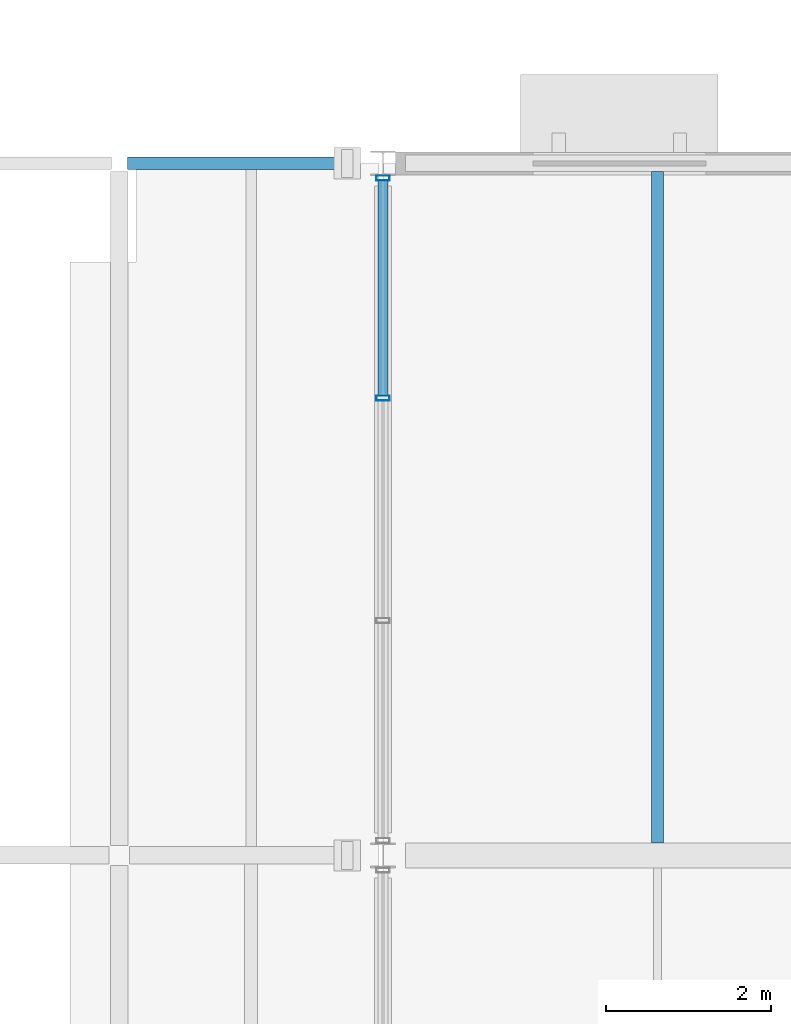
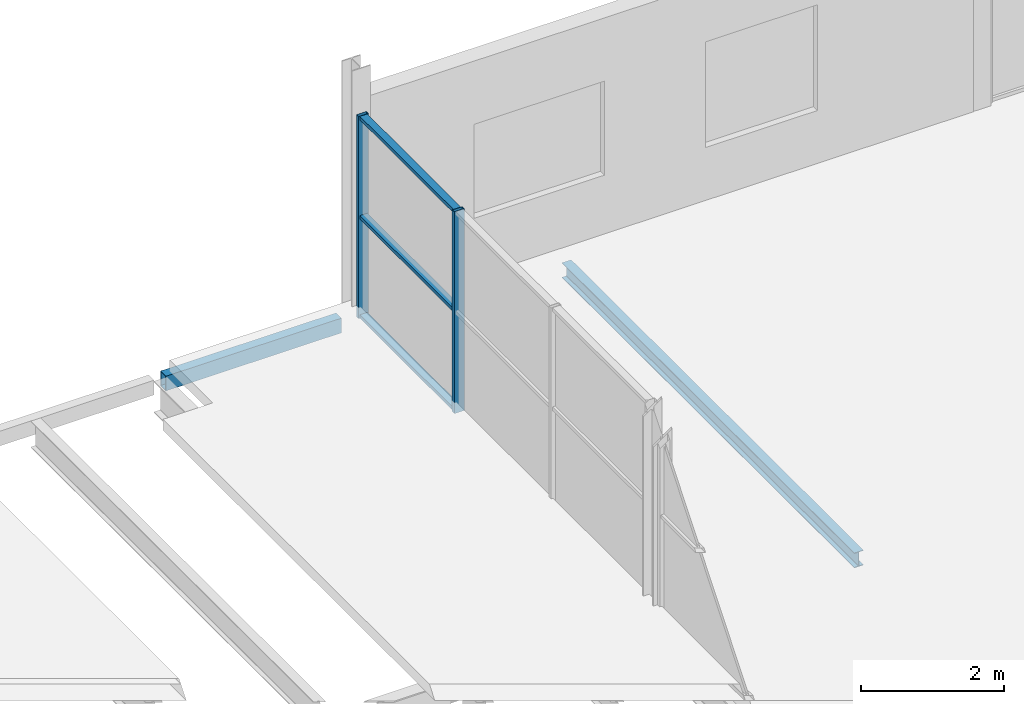
# One storey, part 115 of 161: 5 members, 2 beams, 1 element without a shape of its own.
"""IFC4 building model written with IfcOpenShell, lengths in metres."""

from ifc_helpers import new_model, si_unit, direction, frame, origin, origin_2d, place, context, subcontext, project, spatial, hollow_rectangle, i_section, extrude, material, material_profile, profile_set, type_object, element, aggregate, save


model = new_model("IFC4")

# Units and contexts
model_context = context("Model", 3, precision=1e-05, world=origin(), true_north=direction((0.0, 1.0)))
body_context = subcontext(model_context, "Body", "Model", "MODEL_VIEW")
ifc_project = project(units=[si_unit("LENGTHUNIT", "METRE"), si_unit("AREAUNIT", "SQUARE_METRE"), si_unit("VOLUMEUNIT", "CUBIC_METRE"), si_unit("PLANEANGLEUNIT", "RADIAN"), si_unit("MASSUNIT", "GRAM", prefix="KILO"), si_unit("THERMODYNAMICTEMPERATUREUNIT", "KELVIN")], contexts=[model_context])

# Site, building, storey
site_placement = place(None, origin())
site = spatial("IfcSite", under=ifc_project, at=site_placement, CompositionType="ELEMENT")
building_placement = place(site_placement, origin())
building = spatial("IfcBuilding", under=site, at=building_placement, Name="Nduvali Passage Aquatics Centre", CompositionType="ELEMENT")
storey_placement = place(building_placement, frame((0.0, 0.0, 4.800048828125)))
storey = spatial("IfcBuildingStorey", under=building, at=storey_placement, Name="L01", CompositionType="ELEMENT", Elevation=4.800048828125)

# Curtain wall, members
ifc_material_1 = material(Name="Aluminium EN AW-6063 T6", Category="aluminium")
curtain_wall_type = type_object("IfcCurtainWallType", Name="ENV-CW-FOYR", PredefinedType="NOTDEFINED", material=ifc_material_1)
curtain_wall_placement = place(storey_placement, origin())
curtain_wall = element("IfcCurtainWall", 1, at=curtain_wall_placement, inside=storey, type_object=curtain_wall_type, Name="L01 Passage Foyer End Upper CW 079", PredefinedType="NOTDEFINED")
ifc_material_profile_1 = material_profile(ifc_material_1, hollow_rectangle(XDim=0.06005859375, YDim=0.159912109375, WallThickness=0.00390625, at=origin_2d()), Name="ALU MULLION 60x160x4")
ifc_profile_set_1 = profile_set([ifc_material_profile_1], Name="Aluminium EN AW-6063 T6")
member_type_1 = type_object("IfcMemberType", Name="ENV-MEM-MUL60", PredefinedType="MULLION", material=ifc_profile_set_1)
member_1_placement = place(storey_placement, frame((138.0, 89.550048828125, 0.0), z_axis=(0.0, 0.0, 1.0), x_axis=(0.0, 1.0, 0.0)))
member_1 = element("IfcMember", 2, at=member_1_placement, type_object=member_type_1, Name="Passage Foyer End Upper CW Mullion 3", PredefinedType="MULLION", context=body_context, shape_type="SweptSolid", body=[
    extrude(hollow_rectangle(XDim=0.06005859375, YDim=0.159912109375, WallThickness=0.00390625, at=origin_2d()), origin(), (0.0, 0.0, 1.0), 3.436279296875),
])
member_2_placement = place(storey_placement, frame((138.0, 92.219970703125, 0.0), z_axis=(0.0, 0.0, 1.0), x_axis=(0.0, 1.0, 0.0)))
member_2 = element("IfcMember", 3, at=member_2_placement, type_object=member_type_1, Name="Passage Foyer End Upper CW Mullion 4", PredefinedType="MULLION", context=body_context, shape_type="SweptSolid", body=[
    extrude(hollow_rectangle(XDim=0.06005859375, YDim=0.159912109375, WallThickness=0.00390625, at=origin_2d()), origin(), (0.0, 0.0, 1.0), 3.436279296875),
])
ifc_material_profile_2 = material_profile(ifc_material_1, hollow_rectangle(XDim=0.1201171875, YDim=0.06005859375, WallThickness=0.00390625, at=origin_2d()), Name="ALU TRANSOM 120x60x4")
ifc_profile_set_2 = profile_set([ifc_material_profile_2], Name="Aluminium EN AW-6063 T6")
member_type_2 = type_object("IfcMemberType", Name="ENV-MEM-TRN60", PredefinedType="USERDEFINED", material=ifc_profile_set_2)
member_3_placement = place(storey_placement, frame((138.0, 89.580078125, 0.030029296875), z_axis=(0.0, 1.0, 0.0), x_axis=(-1.0, 0.0, 0.0)))
member_3 = element("IfcMember", 4, at=member_3_placement, type_object=member_type_2, Name="Passage Foyer End Upper CW Transom B3-R0", ObjectType="TRANSOM", PredefinedType="USERDEFINED", context=body_context, shape_type="SweptSolid", body=[
    extrude(hollow_rectangle(XDim=0.1201171875, YDim=0.06005859375, WallThickness=0.00390625, at=origin_2d()), origin(), (0.0, 0.0, 1.0), 2.60986328125),
])
member_4_placement = place(storey_placement, frame((138.0, 89.580078125, 1.71826171875), z_axis=(0.0, 1.0, 0.0), x_axis=(-1.0, 0.0, 0.0)))
member_4 = element("IfcMember", 5, at=member_4_placement, type_object=member_type_2, Name="Passage Foyer End Upper CW Transom B3-R1", ObjectType="TRANSOM", PredefinedType="USERDEFINED", context=body_context, shape_type="SweptSolid", body=[
    extrude(hollow_rectangle(XDim=0.1201171875, YDim=0.06005859375, WallThickness=0.00390625, at=origin_2d()), origin(), (0.0, 0.0, 1.0), 2.60986328125),
])
member_5_placement = place(storey_placement, frame((138.0, 89.580078125, 3.40625), z_axis=(0.0, 1.0, 0.0), x_axis=(-1.0, 0.0, 0.0)))
member_5 = element("IfcMember", 6, at=member_5_placement, type_object=member_type_2, Name="Passage Foyer End Upper CW Transom B3-R2", ObjectType="TRANSOM", PredefinedType="USERDEFINED", context=body_context, shape_type="SweptSolid", body=[
    extrude(hollow_rectangle(XDim=0.1201171875, YDim=0.06005859375, WallThickness=0.00390625, at=origin_2d()), origin(), (0.0, 0.0, 1.0), 2.60986328125),
])
aggregate(curtain_wall, [member_1, member_2, member_3, member_4, member_5])

# Beams
ifc_material_2 = material(Name="Steel S355", Category="steel")
ifc_material_profile_3 = material_profile(ifc_material_2, i_section(OverallWidth=0.146484375, OverallDepth=0.256103515625, WebThickness=0.00634765625, FlangeThickness=0.010986328125, FilletRadius=0.007568359375, at=origin_2d()), Name="UKB 254x146x37")
ifc_profile_set_3 = profile_set([ifc_material_profile_3], Name="Steel S355")
beam_type_1 = type_object("IfcBeamType", Name="STR-JST-UKB254", PredefinedType="JOIST", material=ifc_profile_set_3)
beam_1_placement = place(storey_placement, frame((141.333251953125, 84.15234375, -0.412109375), z_axis=(0.0, 1.0, 0.0), x_axis=(-1.0, 0.0, 0.0)))
element("IfcBeam", 7, at=beam_1_placement, inside=storey, type_object=beam_type_1, Name="L01 Secondary Joist J4-0813", PredefinedType="JOIST", context=body_context, shape_type="SweptSolid", body=[
    extrude(i_section(OverallWidth=0.146484375, OverallDepth=0.256103515625, WebThickness=0.00634765625, FlangeThickness=0.010986328125, FilletRadius=0.007568359375, at=origin_2d()), origin(), (0.0, 0.0, 1.0), 8.147705078125),
])
ifc_material_profile_4 = material_profile(ifc_material_2, hollow_rectangle(XDim=0.14990234375, YDim=0.25, WallThickness=0.008056640625, at=origin_2d()), Name="RHS 250x150x8.0")
ifc_profile_set_4 = profile_set([ifc_material_profile_4], Name="Steel S355")
beam_type_2 = type_object("IfcBeamType", Name="STR-SPN-RHS250-EXT", PredefinedType="SPANDREL", material=ifc_profile_set_4)
beam_2_placement = place(storey_placement, frame((134.89697265625, 92.39990234375, -0.129150390625), z_axis=(1.0, 0.0, 0.0), x_axis=(0.0, 1.0, 0.0)))
element("IfcBeam", 8, at=beam_2_placement, inside=storey, type_object=beam_type_2, Name="L01 Primary X-Girder SP2E-0533", PredefinedType="SPANDREL", context=body_context, shape_type="SweptSolid", body=[
    extrude(hollow_rectangle(XDim=0.14990234375, YDim=0.25, WallThickness=0.008056640625, at=origin_2d()), origin(), (0.0, 0.0, 1.0), 2.828125),
])

save(model, "model.ifc")
